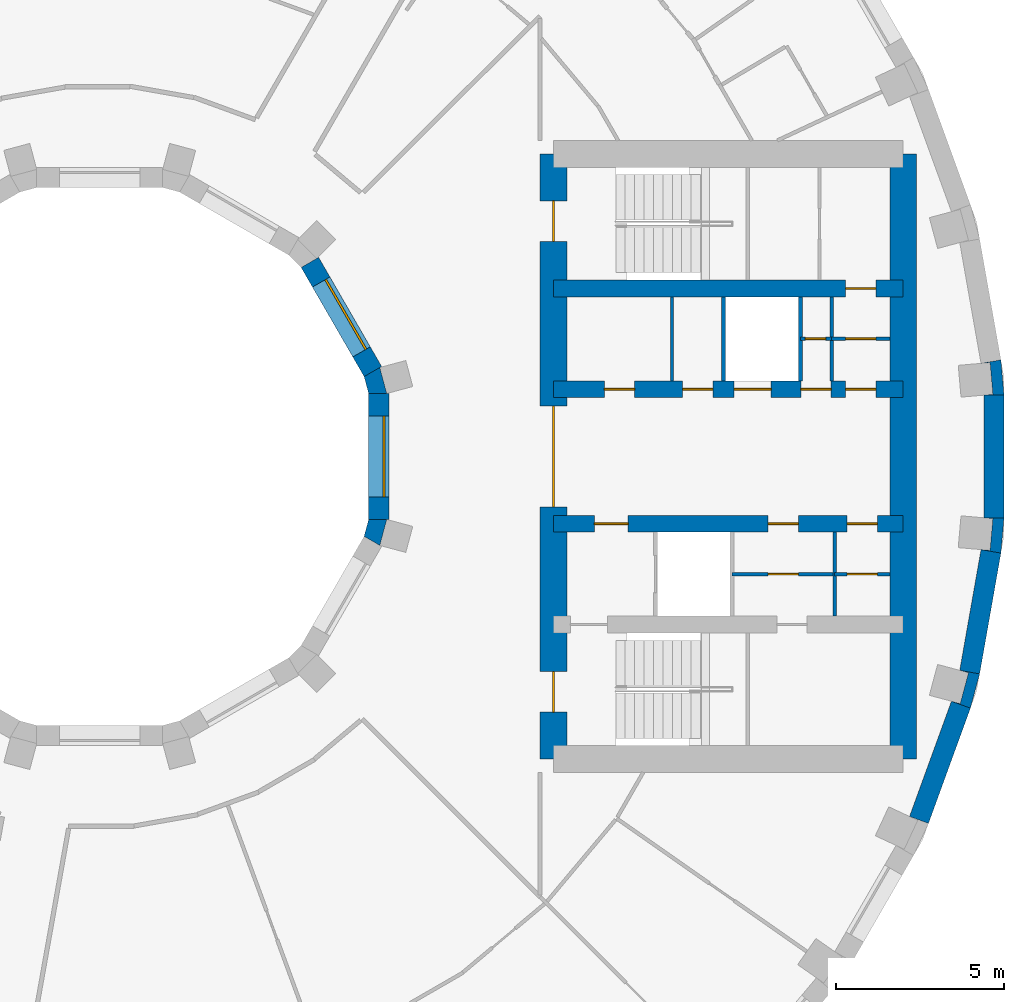
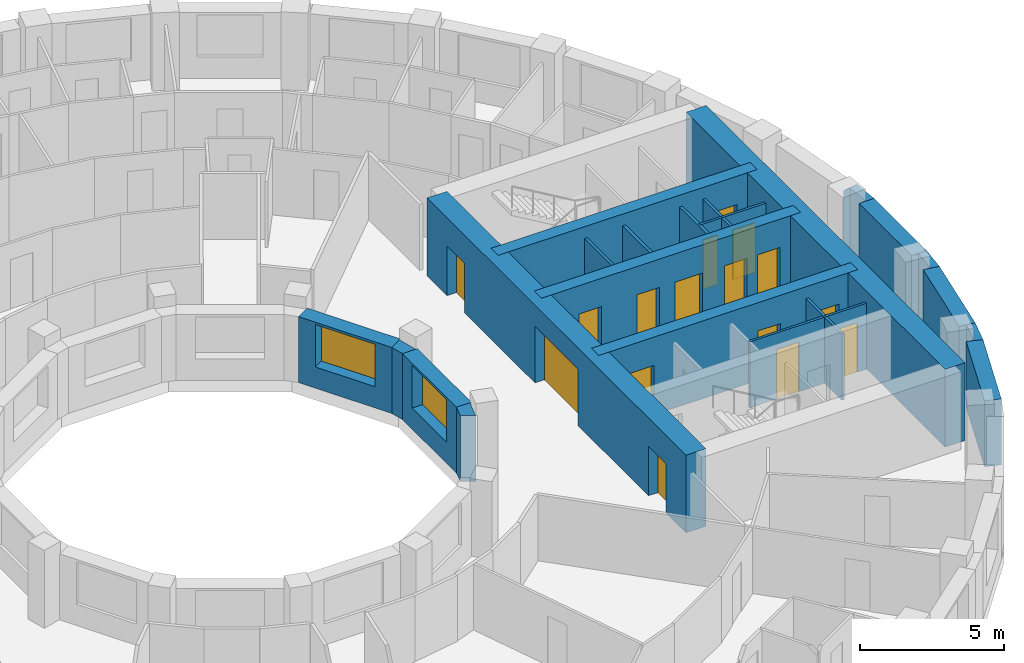
# One storey, part 9 of 14: 24 walls, 16 doors, 2 windows, 18 openings.
"""IFC4 building model written with IfcOpenShell, lengths in metres."""

import ifcopenshell
import ifcopenshell.guid

model = None  # the IFC model being written
_history = None  # IfcOwnerHistory: only IFC2X3 demands one
_inside = {}  # id of a spatial element -> (the spatial element, [elements in it])
_under = {}  # id of a project, library or spatial element -> (it, [spatial elements below it])
_declared = {}  # id of a project -> (the project, [libraries it declares])
_typed = {}  # id of a type object -> (the type object, [elements of that type])
_made_of = {}  # id of a material, layer set ... -> (it, [elements and type objects made of it])


def new_model(schema):
    """Start an empty IFC model of exactly this schema.

    Asked for "IFC4X3", IfcOpenShell would pick the latest addendum, in which some entities
    have other attributes; the version numbers below select the first issue.
    IFC2X3 requires an IfcOwnerHistory on every rooted entity: one is made here for all.
    """
    global model, _history
    if schema == "IFC4X3":
        model = ifcopenshell.file(schema_version=(4, 3, 0, 0))
    else:
        model = ifcopenshell.file(schema=schema)
    _inside.clear()
    _under.clear()
    _declared.clear()
    _typed.clear()
    _made_of.clear()
    _history = None
    if model.schema == "IFC2X3":
        org = make("IfcOrganization", Name="unknown")
        user = make(
            "IfcPersonAndOrganization",
            ThePerson=make("IfcPerson", FamilyName="unknown"),
            TheOrganization=org,
        )
        app = make(
            "IfcApplication",
            ApplicationDeveloper=org,
            Version="unknown",
            ApplicationFullName="unknown",
            ApplicationIdentifier="unknown",
        )
        _history = make(
            "IfcOwnerHistory",
            OwningUser=user,
            OwningApplication=app,
            ChangeAction="ADDED",
            CreationDate=0,
        )
    return model


def make(cls, **values):
    """One entity of the class cls with the attributes given. An attribute that is None is left unset."""
    return model.create_entity(
        cls, **{name: value for name, value in values.items() if value is not None}
    )


def rooted(cls, **values):
    """An entity with a GlobalId (a new one), such as an element, a storey or a relation."""
    return make(cls, GlobalId=ifcopenshell.guid.new(), OwnerHistory=_history, **values)


def si_unit(unit_type, name, prefix=None):
    """IfcSIUnit, for example si_unit("LENGTHUNIT", "METRE", prefix="MILLI")."""
    return make("IfcSIUnit", UnitType=unit_type, Prefix=prefix, Name=name)


def assignment(units):
    """IfcUnitAssignment: the units of a project."""
    return None if units is None else make("IfcUnitAssignment", Units=units)


def point(xyz):
    """IfcCartesianPoint."""
    return None if xyz is None else make("IfcCartesianPoint", Coordinates=xyz)


def direction(xyz):
    """IfcDirection."""
    return None if xyz is None else make("IfcDirection", DirectionRatios=xyz)


def frame(location, z_axis=None, x_axis=None):
    """IfcAxis2Placement3D, a coordinate frame: its origin and axes. An axis left out is left unset."""
    return make(
        "IfcAxis2Placement3D",
        Location=point(location),
        Axis=direction(z_axis),
        RefDirection=direction(x_axis),
    )


def frame_2d(location, x_axis=None):
    """IfcAxis2Placement2D, a coordinate frame in the plane: its origin and x axis."""
    return make(
        "IfcAxis2Placement2D", Location=point(location), RefDirection=direction(x_axis)
    )


def origin():
    """The frame at (0, 0, 0) with its axes left unset."""
    return frame((0.0, 0.0, 0.0))


def place(relative_to, where):
    """IfcLocalPlacement: puts the frame where relative to a parent placement (None: the world)."""
    return make(
        "IfcLocalPlacement", PlacementRelTo=relative_to, RelativePlacement=where
    )


def context(
    kind, dimensions, precision=None, world=None, true_north=None, identifier=None
):
    """IfcGeometricRepresentationContext, for example the 3D "Model" context."""
    return make(
        "IfcGeometricRepresentationContext",
        ContextIdentifier=identifier,
        ContextType=kind,
        CoordinateSpaceDimension=dimensions,
        Precision=precision,
        WorldCoordinateSystem=world,
        TrueNorth=true_north,
    )


def subcontext(parent, identifier, kind, view, scale=None):
    """IfcGeometricRepresentationSubContext, for example "Body" below "Model"."""
    return make(
        "IfcGeometricRepresentationSubContext",
        ContextIdentifier=identifier,
        ContextType=kind,
        ParentContext=parent,
        TargetScale=scale,
        TargetView=view,
    )


def project(units=None, contexts=None):
    """IfcProject with its units and contexts."""
    return rooted(
        "IfcProject",
        Name="project",
        RepresentationContexts=contexts,
        UnitsInContext=assignment(units),
    )


def spatial(cls, under=None, at=None, **own):
    """A site, building, storey or space (cls), placed at a placement, below another one or the project."""
    s = rooted(cls, ObjectPlacement=at, **own)
    if under is not None:
        _under.setdefault(under.id(), (under, []))[1].append(s)
    return s


def polyline(points):
    """IfcPolyline through the points."""
    return make("IfcPolyline", Points=[point(p) for p in points])


def profile(cls, at=None, kind="AREA", **sizes):
    """A parametric profile (cls). Its sizes go by their IFC names, for example OverallWidth=200.0."""
    return make(cls, ProfileType=kind, Position=at, **sizes)


def rectangle(**sizes):
    """IfcRectangleProfileDef."""
    return profile("IfcRectangleProfileDef", **sizes)


def outline(outer, holes=None, kind="AREA"):
    """IfcArbitraryClosedProfileDef: a profile drawn as a closed curve; with holes, ...WithVoids."""
    if holes is None:
        return make("IfcArbitraryClosedProfileDef", ProfileType=kind, OuterCurve=outer)
    return make(
        "IfcArbitraryProfileDefWithVoids",
        ProfileType=kind,
        OuterCurve=outer,
        InnerCurves=holes,
    )


def extrude(swept, where, along, depth):
    """IfcExtrudedAreaSolid: the profile swept, set in the frame where, extruded along a direction by depth."""
    return make(
        "IfcExtrudedAreaSolid",
        SweptArea=swept,
        Position=where,
        ExtrudedDirection=direction(along),
        Depth=depth,
    )


def shape(context_of_items, identifier, shape_type, items):
    """IfcShapeRepresentation: the items that make up one representation, for example the "Body"."""
    return make(
        "IfcShapeRepresentation",
        ContextOfItems=context_of_items,
        RepresentationIdentifier=identifier,
        RepresentationType=shape_type,
        Items=items,
    )


def material(Name=None, Category=None):
    """IfcMaterial."""
    return make("IfcMaterial", Name=Name, Category=Category)


def layer(
    of_material, thickness, ventilated=None, Name=None, Category=None, Priority=None
):
    """IfcMaterialLayer: one layer of a wall or slab, of a material (None: an air gap)."""
    return make(
        "IfcMaterialLayer",
        Material=of_material,
        LayerThickness=thickness,
        IsVentilated=ventilated,
        Name=Name,
        Category=Category,
        Priority=Priority,
    )


def layer_set(layers, Name=None):
    """IfcMaterialLayerSet."""
    return make("IfcMaterialLayerSet", MaterialLayers=layers, LayerSetName=Name)


def made_of(thing, what):
    """Note that an element or type object is made of a material, layer set ...; save() writes the relation."""
    if what is not None:
        _made_of.setdefault(what.id(), (what, []))[1].append(thing)
    return thing


def type_object(cls, material=None, **own):
    """A type object (cls), such as IfcWallType, which elements share."""
    return made_of(rooted(cls, **own), material)


def element(
    cls,
    number,
    at=None,
    inside=None,
    cuts=None,
    type_object=None,
    material=None,
    context=None,
    identifier="Body",
    shape_type=None,
    held_by="IfcProductDefinitionShape",
    body=None,
    shapes=None,
    **own,
):
    """One element of the class cls, such as IfcWall. Its Tag is "e" and its number.

    at: its placement. inside: the storey or other place that contains it. cuts: it is an
    opening in that element (IfcRelVoidsElement). A single representation is given by context,
    identifier, shape_type and body (its items); several are given by shapes. held_by: the class
    of the entity that holds the representations. save() writes the other relations.
    """
    e = rooted(cls, Tag="e%d" % number, ObjectPlacement=at, **own)
    if body is not None:
        shapes = [shape(context, identifier, shape_type, body)]
    if shapes is not None:
        e.Representation = make(held_by, Representations=shapes)
    if inside is not None:
        _inside.setdefault(inside.id(), (inside, []))[1].append(e)
    if cuts is not None:
        rooted(
            "IfcRelVoidsElement", RelatingBuildingElement=cuts, RelatedOpeningElement=e
        )
    if type_object is not None:
        _typed.setdefault(type_object.id(), (type_object, []))[1].append(e)
    return made_of(e, material)


def fill(opening, filler):
    """IfcRelFillsElement: the door or window that sits in an opening."""
    return rooted(
        "IfcRelFillsElement",
        RelatingOpeningElement=opening,
        RelatedBuildingElement=filler,
    )


def aggregate(whole, parts):
    """IfcRelAggregates: a whole, such as a stair, and the parts it consists of."""
    return rooted("IfcRelAggregates", RelatingObject=whole, RelatedObjects=parts)


def save(model, path):
    """Write the relations noted so far, then the file.

    IfcRelAggregates (storeys below a building ...), IfcRelContainedInSpatialStructure (elements
    in a storey), IfcRelDefinesByType, IfcRelAssociatesMaterial and IfcRelDeclares: one each for
    every whole, place, type object, material and project.
    """
    for whole, parts in _under.values():
        aggregate(whole, parts)
    for where, things in _inside.values():
        rooted(
            "IfcRelContainedInSpatialStructure",
            RelatedElements=things,
            RelatingStructure=where,
        )
    for kind, things in _typed.values():
        rooted("IfcRelDefinesByType", RelatedObjects=things, RelatingType=kind)
    for what, things in _made_of.values():
        rooted("IfcRelAssociatesMaterial", RelatedObjects=things, RelatingMaterial=what)
    for by, libraries in _declared.values():
        rooted("IfcRelDeclares", RelatingContext=by, RelatedDefinitions=libraries)
    model.write(path)


model = new_model("IFC4")

# Units and contexts
model_context = context("Model", 3, precision=1e-05, world=origin(), true_north=direction((0.0, 1.0)))
body_context = subcontext(model_context, "Body", "Model", "MODEL_VIEW")
ifc_project = project(units=[si_unit("LENGTHUNIT", "METRE"), si_unit("AREAUNIT", "SQUARE_METRE"), si_unit("VOLUMEUNIT", "CUBIC_METRE"), si_unit("PLANEANGLEUNIT", "RADIAN"), si_unit("MASSUNIT", "GRAM", prefix="KILO")], contexts=[model_context])

# Site, building, storey
site_placement = place(None, origin())
site = spatial("IfcSite", under=ifc_project, at=site_placement, CompositionType="ELEMENT")
building_placement = place(site_placement, origin())
building = spatial("IfcBuilding", under=site, at=building_placement, Name="Saqina Gate Tower", CompositionType="ELEMENT")
storey_placement = place(building_placement, frame((0.0, 0.0, 98.5)))
storey = spatial("IfcBuildingStorey", under=building, at=storey_placement, Name="L27", CompositionType="ELEMENT", Elevation=98.5)

# Walls
ifc_material_1 = material(Name="Brick masonry (buff)", Category="masonry")
wall_type_1 = type_object("IfcWallType", Name="BRICK PIER COPING BUFF", PredefinedType="SOLIDWALL", material=ifc_material_1)
wall_1_placement = place(storey_placement, origin())
element("IfcWall", 1, at=wall_1_placement, inside=storey, type_object=wall_type_1, Name="Pier cap L27 column 1", PredefinedType="SOLIDWALL", context=body_context, shape_type="SweptSolid", body=[
    extrude(outline(polyline([(26.805419921875, 2.87451171875), (26.214599609375, 2.770263671875), (26.482421875, 2.793701171875), (26.565185546875, 1.847412109375), (26.29736328125, 1.823974609375), (26.897216796875, 1.823974609375), (26.805419921875, 2.87451171875)])), origin(), (0.0, 0.0, 1.0), 2.800048828125),
])
wall_2_placement = place(storey_placement, origin())
element("IfcWall", 2, at=wall_2_placement, inside=storey, type_object=wall_type_1, Name="Pier cap L27 column 35", PredefinedType="SOLIDWALL", context=body_context, shape_type="SweptSolid", body=[
    extrude(outline(polyline([(25.89892578125, -7.485595703125), (26.171875, -6.466796875), (25.5810546875, -6.36279296875), (25.8408203125, -6.43212890625), (25.5947265625, -7.349853515625), (25.335205078125, -7.2802734375), (25.89892578125, -7.485595703125)])), origin(), (0.0, 0.0, 1.0), 2.800048828125),
])
wall_3_placement = place(storey_placement, origin())
element("IfcWall", 3, at=wall_3_placement, inside=storey, type_object=wall_type_1, Name="Pier cap L27 column 36", PredefinedType="SOLIDWALL", context=body_context, shape_type="SweptSolid", body=[
    extrude(outline(polyline([(26.805419921875, -2.87451171875), (26.897216796875, -1.823974609375), (26.29736328125, -1.823974609375), (26.565185546875, -1.847412109375), (26.482421875, -2.793701171875), (26.214599609375, -2.770263671875), (26.805419921875, -2.87451171875)])), origin(), (0.0, 0.0, 1.0), 2.800048828125),
])
ifc_material_2 = material(Name="Gypsum board on steel studs", Category="steel")
ifc_layer_1 = layer(ifc_material_2, 0.10009765625)
ifc_layer_set_1 = layer_set([ifc_layer_1], Name="CORE PARTITION")
wall_type_2 = type_object("IfcWallType", Name="CORE PARTITION", PredefinedType="PARTITIONING", material=ifc_layer_set_1)
for number, where, z_axis, x_axis, name in (
    (4, (17.022216796875, 2.25, 0.0), (0.0, 0.0, 1.0), (0.0, 1.0, 0.0), "L27-CP-E01"),
    (5, (21.77099609375, 2.25, 0.0), (0.0, 0.0, 1.0), (0.0, 1.0, 0.0), "L27-CP-E04"),
    (6, (21.8583984375, -4.75, 0.0), (0.0, 0.0, 1.0), (0.0, 1.0, 0.0), "L27-CP-E07"),
):
    element("IfcWall", number, at=place(storey_placement, frame(where, z_axis=z_axis, x_axis=x_axis)), inside=storey, type_object=wall_type_2, Name=name, PredefinedType="PARTITIONING", context=body_context, shape_type="SweptSolid", body=[
        extrude(rectangle(XDim=2.5, YDim=0.10009765625, at=frame_2d((1.25, 0.0))), origin(), (0.0, 0.0, 1.0), 2.800048828125),
    ])

# Wall, opening, door
wall_4_placement = place(storey_placement, frame((20.840087890625, 3.5, 0.0), z_axis=(0.0, 0.0, 1.0), x_axis=(1.0, 0.0, 0.0)))
wall_4 = element("IfcWall", 7, at=wall_4_placement, inside=storey, type_object=wall_type_2, Name="L27-CP-E08", PredefinedType="PARTITIONING", context=body_context, shape_type="SweptSolid", body=[
    extrude(rectangle(XDim=0.930908203125, YDim=0.10009765625, at=frame_2d((0.46533203125, 0.0))), origin(), (0.0, 0.0, 1.0), 2.800048828125),
])
opening_1_placement = place(wall_4_placement, frame((0.14990234375, 0.0, 0.0)))
opening_1 = element("IfcOpeningElement", 8, at=opening_1_placement, cuts=wall_4, Name="Opening G07-D130", PredefinedType="OPENING", context=body_context, shape_type="SweptSolid", body=[
    extrude(rectangle(XDim=0.60009765625, YDim=2.10009765625, at=frame_2d((0.300048828125, 1.050048828125))), frame((0.0, 0.06201171875, 0.0), z_axis=(0.0, -1.0, 0.0), x_axis=(1.0, 0.0, 0.0)), (0.0, 0.0, 1.0), 0.1240234375),
])
ifc_material_3 = material(Name="Steel-framed fire door leaf, EI 60", Category="steel")
door_type_1 = type_object("IfcDoorType", Name="SERVICE ROOM DOOR 600", OperationType="SINGLE_SWING_LEFT", PredefinedType="DOOR", material=ifc_material_3)
door_1_placement = place(opening_1_placement, origin())
door_1 = element("IfcDoor", 9, at=door_1_placement, inside=storey, type_object=door_type_1, Name="L27-CD-E08", OperationType="SINGLE_SWING_LEFT", OverallHeight=2.10009765625, OverallWidth=0.60009765625, PredefinedType="DOOR", context=body_context, shape_type="SweptSolid", body=[
    extrude(rectangle(XDim=0.60009765625, YDim=2.10009765625, at=frame_2d((0.300048828125, 1.050048828125))), frame((0.0, 0.02490234375, 0.0), z_axis=(0.0, -1.0, 0.0), x_axis=(1.0, 0.0, 0.0)), (0.0, 0.0, 1.0), 0.050048828125),
])
fill(opening_1, door_1)

wall_5_placement = place(storey_placement, frame((21.77099609375, 3.5, 0.0), z_axis=(0.0, 0.0, 1.0), x_axis=(1.0, 0.0, 0.0)))
wall_5 = element("IfcWall", 10, at=wall_5_placement, inside=storey, type_object=wall_type_2, Name="L27-CP-E09", PredefinedType="PARTITIONING", context=body_context, shape_type="SweptSolid", body=[
    extrude(rectangle(XDim=1.72900390625, YDim=0.10009765625, at=frame_2d((0.864501953125, 0.0))), origin(), (0.0, 0.0, 1.0), 2.800048828125),
])
opening_2_placement = place(wall_5_placement, frame((0.41455078125, 0.0, 0.0)))
opening_2 = element("IfcOpeningElement", 11, at=opening_2_placement, cuts=wall_5, Name="Opening G07-D131", PredefinedType="OPENING", context=body_context, shape_type="SweptSolid", body=[
    extrude(rectangle(XDim=0.89990234375, YDim=2.10009765625, at=frame_2d((0.449951171875, 1.050048828125))), frame((0.0, 0.06201171875, 0.0), z_axis=(0.0, -1.0, 0.0), x_axis=(1.0, 0.0, 0.0)), (0.0, 0.0, 1.0), 0.1240234375),
])
ifc_material_4 = material(Name="Steel-framed fire door leaf, EI 60", Category="steel")
door_type_2 = type_object("IfcDoorType", Name="SERVICE ROOM DOOR 900", OperationType="SINGLE_SWING_LEFT", PredefinedType="DOOR", material=ifc_material_4)
door_2_placement = place(opening_2_placement, origin())
door_2 = element("IfcDoor", 12, at=door_2_placement, inside=storey, type_object=door_type_2, Name="L27-CD-E09", OperationType="SINGLE_SWING_RIGHT", OverallHeight=2.10009765625, OverallWidth=0.89990234375, PredefinedType="DOOR", context=body_context, shape_type="SweptSolid", body=[
    extrude(rectangle(XDim=0.89990234375, YDim=2.10009765625, at=frame_2d((0.449951171875, 1.050048828125))), frame((0.0, 0.02490234375, 0.0), z_axis=(0.0, -1.0, 0.0), x_axis=(1.0, 0.0, 0.0)), (0.0, 0.0, 1.0), 0.050048828125),
])
fill(opening_2, door_2)

wall_6_placement = place(storey_placement, frame((18.81005859375, -3.5, 0.0), z_axis=(0.0, 0.0, 1.0), x_axis=(1.0, 0.0, 0.0)))
wall_6 = element("IfcWall", 13, at=wall_6_placement, inside=storey, type_object=wall_type_2, Name="L27-CP-E10", PredefinedType="PARTITIONING", context=body_context, shape_type="SweptSolid", body=[
    extrude(rectangle(XDim=3.04833984375, YDim=0.10009765625, at=frame_2d((1.524169921875, 0.0))), origin(), (0.0, 0.0, 1.0), 2.800048828125),
])
opening_3_placement = place(wall_6_placement, frame((1.07421875, 0.0, 0.0)))
opening_3 = element("IfcOpeningElement", 14, at=opening_3_placement, cuts=wall_6, Name="Opening G07-D135", PredefinedType="OPENING", context=body_context, shape_type="SweptSolid", body=[
    extrude(rectangle(XDim=0.89990234375, YDim=2.10009765625, at=frame_2d((0.449951171875, 1.050048828125))), frame((0.0, 0.06201171875, 0.0), z_axis=(0.0, -1.0, 0.0), x_axis=(1.0, 0.0, 0.0)), (0.0, 0.0, 1.0), 0.1240234375),
])
door_3_placement = place(opening_3_placement, frame((0.89990234375, 0.0, 0.0), z_axis=(0.0, 0.0, 1.0), x_axis=(-1.0, 0.0, 0.0)))
door_3 = element("IfcDoor", 15, at=door_3_placement, inside=storey, type_object=door_type_2, Name="L27-CD-E13", OperationType="SINGLE_SWING_RIGHT", OverallHeight=2.10009765625, OverallWidth=0.89990234375, PredefinedType="DOOR", context=body_context, shape_type="SweptSolid", body=[
    extrude(rectangle(XDim=0.89990234375, YDim=2.10009765625, at=frame_2d((0.449951171875, 1.050048828125))), frame((0.0, 0.02490234375, 0.0), z_axis=(0.0, -1.0, 0.0), x_axis=(1.0, 0.0, 0.0)), (0.0, 0.0, 1.0), 0.050048828125),
])
fill(opening_3, door_3)

wall_7_placement = place(storey_placement, frame((21.8583984375, -3.5, 0.0), z_axis=(0.0, 0.0, 1.0), x_axis=(1.0, 0.0, 0.0)))
wall_7 = element("IfcWall", 16, at=wall_7_placement, inside=storey, type_object=wall_type_2, Name="L27-CP-E11", PredefinedType="PARTITIONING", context=body_context, shape_type="SweptSolid", body=[
    extrude(rectangle(XDim=1.6416015625, YDim=0.10009765625, at=frame_2d((0.82080078125, 0.0))), origin(), (0.0, 0.0, 1.0), 2.800048828125),
])
opening_4_placement = place(wall_7_placement, frame((0.370849609375, 0.0, 0.0)))
opening_4 = element("IfcOpeningElement", 17, at=opening_4_placement, cuts=wall_7, Name="Opening G07-D134", PredefinedType="OPENING", context=body_context, shape_type="SweptSolid", body=[
    extrude(rectangle(XDim=0.89990234375, YDim=2.10009765625, at=frame_2d((0.449951171875, 1.050048828125))), frame((0.0, 0.06201171875, 0.0), z_axis=(0.0, -1.0, 0.0), x_axis=(1.0, 0.0, 0.0)), (0.0, 0.0, 1.0), 0.1240234375),
])
door_4_placement = place(opening_4_placement, frame((0.89990234375, 0.0, 0.0), z_axis=(0.0, 0.0, 1.0), x_axis=(-1.0, 0.0, 0.0)))
door_4 = element("IfcDoor", 18, at=door_4_placement, inside=storey, type_object=door_type_2, Name="L27-CD-E12", OperationType="SINGLE_SWING_LEFT", OverallHeight=2.10009765625, OverallWidth=0.89990234375, PredefinedType="DOOR", context=body_context, shape_type="SweptSolid", body=[
    extrude(rectangle(XDim=0.89990234375, YDim=2.10009765625, at=frame_2d((0.449951171875, 1.050048828125))), frame((0.0, 0.02490234375, 0.0), z_axis=(0.0, -1.0, 0.0), x_axis=(1.0, 0.0, 0.0)), (0.0, 0.0, 1.0), 0.050048828125),
])
fill(opening_4, door_4)

# Walls
ifc_material_5 = material(Name="Glazed ceramic tile", Category="ceramic")
ifc_layer_2 = layer(ifc_material_5, 0.60009765625)
ifc_layer_set_2 = layer_set([ifc_layer_2], Name="FW-TILE")
wall_type_3 = type_object("IfcWallType", Name="FW-TILE", PredefinedType="SOLIDWALL", material=ifc_layer_set_2)
for number, where, z_axis, x_axis, name in (
    (19, (24.369384765625, -10.810791015625, 0.0), (0.0, 0.0, 1.0), (0.341990236633, 0.939703505393, 0.0), "Facade wall L27 facet 34"),
    (20, (26.59716796875, -1.823974609375, 0.0), (0.0, 0.0, 1.0), (0.0, 1.0, 0.0), "Facade wall L27 facet 36"),
):
    element("IfcWall", number, at=place(storey_placement, frame(where, z_axis=z_axis, x_axis=x_axis)), inside=storey, type_object=wall_type_3, Name=name, PredefinedType="SOLIDWALL", context=body_context, shape_type="SweptSolid", body=[
        extrude(rectangle(XDim=3.64794921875, YDim=0.60009765625, at=frame_2d((1.823974609375, 0.0))), origin(), (0.0, 0.0, 1.0), 2.800048828125),
    ])
ifc_material_6 = material(Name="Glazed ceramic tile (dark blue)", Category="ceramic")
ifc_layer_3 = layer(ifc_material_6, 0.60009765625)
ifc_layer_set_3 = layer_set([ifc_layer_3], Name="FW-TILE-CB")
wall_type_4 = type_object("IfcWallType", Name="FW-TILE-CB", PredefinedType="SOLIDWALL", material=ifc_layer_set_3)
wall_8_placement = place(storey_placement, frame((25.87646484375, -6.414794921875, 0.0), z_axis=(0.0, 0.0, 1.0), x_axis=(0.173670796382, 0.984803764455, 0.0)))
element("IfcWall", 21, at=wall_8_placement, inside=storey, type_object=wall_type_4, Name="Facade wall L27 facet 35", PredefinedType="SOLIDWALL", context=body_context, shape_type="SweptSolid", body=[
    extrude(rectangle(XDim=3.64794921875, YDim=0.60009765625, at=frame_2d((1.823974609375, 0.0))), origin(), (0.0, 0.0, 1.0), 2.800048828125),
])

# Wall, opening, window
ifc_material_7 = material(Name="Glazed ceramic tile", Category="ceramic")
ifc_layer_4 = layer(ifc_material_7, 0.60009765625)
ifc_layer_set_4 = layer_set([ifc_layer_4], Name="IW-TILE")
wall_type_5 = type_object("IfcWallType", Name="IW-TILE", PredefinedType="SOLIDWALL", material=ifc_layer_set_4)
wall_9_placement = place(storey_placement, frame((8.124755859375, 2.52734375, 0.0), z_axis=(0.0, 0.0, 1.0), x_axis=(-0.499964958637, 0.86604563398, 0.0)))
wall_9 = element("IfcWall", 22, at=wall_9_placement, inside=storey, type_object=wall_type_5, Name="Well wall L27 facet 1", PredefinedType="SOLIDWALL", context=body_context, shape_type="SweptSolid", body=[
    extrude(rectangle(XDim=3.747314453125, YDim=0.60009765625, at=frame_2d((1.87353515625, 0.0))), origin(), (0.0, 0.0, 1.0), 2.800048828125),
])
opening_5_placement = place(wall_9_placement, frame((0.673583984375, 0.0, 0.89990234375)))
opening_5 = element("IfcOpeningElement", 23, at=opening_5_placement, cuts=wall_9, Name="Opening G07-W23", PredefinedType="OPENING", context=body_context, shape_type="SweptSolid", body=[
    extrude(rectangle(XDim=2.39990234375, YDim=1.800048828125, at=frame_2d((1.199951171875, 0.89990234375))), frame((0.0, 0.31201171875, 0.0), z_axis=(0.0, -1.0, 0.0), x_axis=(1.0, 0.0, 0.0)), (0.0, 0.0, 1.0), 0.6240234375),
])
ifc_material_8 = material(Name="Aluminium glazing", Category="aluminium")
window_type = type_object("IfcWindowType", Name="WN-W", PartitioningType="SINGLE_PANEL", PredefinedType="WINDOW", material=ifc_material_8)
window_1_placement = place(opening_5_placement, origin())
window_1 = element("IfcWindow", 24, at=window_1_placement, inside=storey, type_object=window_type, Name="Well window L27 facet 1", OverallHeight=1.800048828125, OverallWidth=2.39990234375, PartitioningType="SINGLE_PANEL", PredefinedType="WINDOW", context=body_context, shape_type="SweptSolid", body=[
    extrude(rectangle(XDim=2.39990234375, YDim=1.800048828125, at=frame_2d((1.199951171875, 0.89990234375))), frame((0.0, -0.119873046875, 0.0), z_axis=(0.0, -1.0, 0.0), x_axis=(1.0, 0.0, 0.0)), (0.0, 0.0, 1.0), 0.06005859375),
])
fill(opening_5, window_1)

wall_10_placement = place(storey_placement, frame((8.300048828125, -1.873779296875, 0.0), z_axis=(0.0, 0.0, 1.0), x_axis=(0.0, 1.0, 0.0)))
wall_10 = element("IfcWall", 25, at=wall_10_placement, inside=storey, type_object=wall_type_5, Name="Well wall L27 facet 12", PredefinedType="SOLIDWALL", context=body_context, shape_type="SweptSolid", body=[
    extrude(rectangle(XDim=3.74755859375, YDim=0.60009765625, at=frame_2d((1.873779296875, 0.0))), origin(), (0.0, 0.0, 1.0), 2.800048828125),
])
opening_6_placement = place(wall_10_placement, frame((0.673583984375, 0.0, 0.89990234375)))
opening_6 = element("IfcOpeningElement", 26, at=opening_6_placement, cuts=wall_10, Name="Opening G07-W34", PredefinedType="OPENING", context=body_context, shape_type="SweptSolid", body=[
    extrude(rectangle(XDim=2.39990234375, YDim=1.800048828125, at=frame_2d((1.199951171875, 0.89990234375))), frame((0.0, 0.31201171875, 0.0), z_axis=(0.0, -1.0, 0.0), x_axis=(1.0, 0.0, 0.0)), (0.0, 0.0, 1.0), 0.6240234375),
])
window_2_placement = place(opening_6_placement, origin())
window_2 = element("IfcWindow", 27, at=window_2_placement, inside=storey, type_object=window_type, Name="Well window L27 facet 12", OverallHeight=1.800048828125, OverallWidth=2.39990234375, PartitioningType="SINGLE_PANEL", PredefinedType="WINDOW", context=body_context, shape_type="SweptSolid", body=[
    extrude(rectangle(XDim=2.39990234375, YDim=1.800048828125, at=frame_2d((1.199951171875, 0.89990234375))), frame((0.0, -0.119873046875, 0.0), z_axis=(0.0, -1.0, 0.0), x_axis=(1.0, 0.0, 0.0)), (0.0, 0.0, 1.0), 0.06005859375),
])
fill(opening_6, window_2)

# Walls
ifc_material_9 = material(Name="Autoclaved aerated concrete block", Category="concrete")
ifc_layer_5 = layer(ifc_material_9, 0.1201171875)
ifc_layer_set_5 = layer_set([ifc_layer_5], Name="SHAFT PARTITION")
wall_type_6 = type_object("IfcWallType", Name="SHAFT PARTITION", PredefinedType="PARTITIONING", material=ifc_layer_set_5)
for number, where, z_axis, x_axis, name in (
    (28, (18.56005859375, 2.25, 0.0), (0.0, 0.0, 1.0), (0.0, 1.0, 0.0), "L27-CP-E02"),
    (29, (20.840087890625, 2.25, 0.0), (0.0, 0.0, 1.0), (0.0, 1.0, 0.0), "L27-CP-E03"),
):
    element("IfcWall", number, at=place(storey_placement, frame(where, z_axis=z_axis, x_axis=x_axis)), inside=storey, type_object=wall_type_6, Name=name, PredefinedType="PARTITIONING", context=body_context, shape_type="SweptSolid", body=[
        extrude(rectangle(XDim=2.5, YDim=0.1201171875, at=frame_2d((1.25, 0.0))), origin(), (0.0, 0.0, 1.0), 2.800048828125),
    ])

# Wall, opening, door
ifc_material_10 = material(Name="Concrete C70/85", Category="concrete")
ifc_layer_6 = layer(ifc_material_10, 0.5)
ifc_layer_set_6 = layer_set([ifc_layer_6], Name="Concrete C70/85")
wall_type_7 = type_object("IfcWallType", Name="STR-CORE WALL-B-I", PredefinedType="SHEAR", material=ifc_layer_set_6)
wall_11_placement = place(storey_placement, frame((13.5, 5.0, 0.0), z_axis=(0.0, 0.0, 1.0), x_axis=(1.0, 0.0, 0.0)))
wall_11 = element("IfcWall", 30, at=wall_11_placement, inside=storey, type_object=wall_type_7, Name="CORE WALL L27 E-X1", PredefinedType="SHEAR", context=body_context, shape_type="SweptSolid", body=[
    extrude(rectangle(XDim=10.39990234375, YDim=0.5, at=frame_2d((5.199951171875, 0.0))), origin(), (0.0, 0.0, 1.0), 3.300048828125),
])
opening_7_placement = place(wall_11_placement, frame((8.685546875, 0.0, 0.0)))
opening_7 = element("IfcOpeningElement", 31, at=opening_7_placement, cuts=wall_11, Name="Opening G07-D133", PredefinedType="OPENING", context=body_context, shape_type="SweptSolid", body=[
    extrude(rectangle(XDim=0.89990234375, YDim=2.10009765625, at=frame_2d((0.449951171875, 1.050048828125))), frame((0.0, 0.261962890625, 0.0), z_axis=(0.0, -1.0, 0.0), x_axis=(1.0, 0.0, 0.0)), (0.0, 0.0, 1.0), 0.52392578125),
])
door_5_placement = place(opening_7_placement, origin())
door_5 = element("IfcDoor", 32, at=door_5_placement, inside=storey, type_object=door_type_2, Name="L27-CD-E11", OperationType="SINGLE_SWING_RIGHT", OverallHeight=2.10009765625, OverallWidth=0.89990234375, PredefinedType="DOOR", context=body_context, shape_type="SweptSolid", body=[
    extrude(rectangle(XDim=0.89990234375, YDim=2.10009765625, at=frame_2d((0.449951171875, 1.050048828125))), frame((0.0, 0.02490234375, 0.0), z_axis=(0.0, -1.0, 0.0), x_axis=(1.0, 0.0, 0.0)), (0.0, 0.0, 1.0), 0.050048828125),
])
fill(opening_7, door_5)

# Wall, openings, doors
wall_12_placement = place(storey_placement, frame((13.5, 2.0, 0.0), z_axis=(0.0, 0.0, 1.0), x_axis=(1.0, 0.0, 0.0)))
wall_12 = element("IfcWall", 33, at=wall_12_placement, inside=storey, type_object=wall_type_7, Name="CORE WALL L27 E-L1", PredefinedType="SHEAR", context=body_context, shape_type="SweptSolid", body=[
    extrude(rectangle(XDim=10.39990234375, YDim=0.5, at=frame_2d((5.199951171875, 0.0))), origin(), (0.0, 0.0, 1.0), 3.300048828125),
])
opening_8_placement = place(wall_12_placement, frame((5.3701171875, 0.0, 0.0)))
opening_8 = element("IfcOpeningElement", 34, at=opening_8_placement, cuts=wall_12, Name="Opening G07-LD1", PredefinedType="OPENING", context=body_context, shape_type="SweptSolid", body=[
    extrude(rectangle(XDim=1.10009765625, YDim=2.10009765625, at=frame_2d((0.550048828125, 1.050048828125))), frame((0.0, 0.261962890625, 0.0), z_axis=(0.0, -1.0, 0.0), x_axis=(1.0, 0.0, 0.0)), (0.0, 0.0, 1.0), 0.52392578125),
])
opening_9_placement = place(wall_12_placement, frame((1.510986328125, 0.0, 0.0)))
opening_9 = element("IfcOpeningElement", 35, at=opening_9_placement, cuts=wall_12, Name="Opening G07-D90", PredefinedType="OPENING", context=body_context, shape_type="SweptSolid", body=[
    extrude(rectangle(XDim=0.89990234375, YDim=2.10009765625, at=frame_2d((0.449951171875, 1.050048828125))), frame((0.0, 0.261962890625, 0.0), z_axis=(0.0, -1.0, 0.0), x_axis=(1.0, 0.0, 0.0)), (0.0, 0.0, 1.0), 0.52392578125),
])
opening_10_placement = place(wall_12_placement, frame((3.841064453125, 0.0, 0.0)))
opening_10 = element("IfcOpeningElement", 36, at=opening_10_placement, cuts=wall_12, Name="Opening G07-D91", PredefinedType="OPENING", context=body_context, shape_type="SweptSolid", body=[
    extrude(rectangle(XDim=0.89990234375, YDim=2.10009765625, at=frame_2d((0.449951171875, 1.050048828125))), frame((0.0, 0.261962890625, 0.0), z_axis=(0.0, -1.0, 0.0), x_axis=(1.0, 0.0, 0.0)), (0.0, 0.0, 1.0), 0.52392578125),
])
opening_11_placement = place(wall_12_placement, frame((7.35546875, 0.0, 0.0)))
opening_11 = element("IfcOpeningElement", 37, at=opening_11_placement, cuts=wall_12, Name="Opening G07-D126", PredefinedType="OPENING", context=body_context, shape_type="SweptSolid", body=[
    extrude(rectangle(XDim=0.89990234375, YDim=2.10009765625, at=frame_2d((0.449951171875, 1.050048828125))), frame((0.0, 0.261962890625, 0.0), z_axis=(0.0, -1.0, 0.0), x_axis=(1.0, 0.0, 0.0)), (0.0, 0.0, 1.0), 0.52392578125),
])
opening_12_placement = place(wall_12_placement, frame((8.685546875, 0.0, 0.0)))
opening_12 = element("IfcOpeningElement", 38, at=opening_12_placement, cuts=wall_12, Name="Opening G07-D127", PredefinedType="OPENING", context=body_context, shape_type="SweptSolid", body=[
    extrude(rectangle(XDim=0.89990234375, YDim=2.10009765625, at=frame_2d((0.449951171875, 1.050048828125))), frame((0.0, 0.261962890625, 0.0), z_axis=(0.0, -1.0, 0.0), x_axis=(1.0, 0.0, 0.0)), (0.0, 0.0, 1.0), 0.52392578125),
])
ifc_material_11 = material(Name="Stainless steel", Category="steel")
door_type_3 = type_object("IfcDoorType", Name="LANDING DOOR", OperationType="DOUBLE_DOOR_SLIDING", PredefinedType="DOOR", material=ifc_material_11)
door_6_placement = place(opening_8_placement, origin())
door_6 = element("IfcDoor", 39, at=door_6_placement, inside=storey, type_object=door_type_3, Name="LANDING DOOR MR1", OperationType="DOUBLE_DOOR_SLIDING", OverallHeight=2.10009765625, OverallWidth=1.10009765625, PredefinedType="DOOR", context=body_context, shape_type="SweptSolid", body=[
    extrude(rectangle(XDim=1.10009765625, YDim=2.10009765625, at=frame_2d((0.550048828125, 1.050048828125))), frame((0.0, 0.02490234375, 0.0), z_axis=(0.0, -1.0, 0.0), x_axis=(1.0, 0.0, 0.0)), (0.0, 0.0, 1.0), 0.050048828125),
])
fill(opening_8, door_6)
door_7_placement = place(opening_9_placement, origin())
door_7 = element("IfcDoor", 40, at=door_7_placement, inside=storey, type_object=door_type_2, Name="L27-CD-E01", OperationType="SINGLE_SWING_LEFT", OverallHeight=2.10009765625, OverallWidth=0.89990234375, PredefinedType="DOOR", context=body_context, shape_type="SweptSolid", body=[
    extrude(rectangle(XDim=0.89990234375, YDim=2.10009765625, at=frame_2d((0.449951171875, 1.050048828125))), frame((0.0, 0.02490234375, 0.0), z_axis=(0.0, -1.0, 0.0), x_axis=(1.0, 0.0, 0.0)), (0.0, 0.0, 1.0), 0.050048828125),
])
fill(opening_9, door_7)
door_8_placement = place(opening_10_placement, origin())
door_8 = element("IfcDoor", 41, at=door_8_placement, inside=storey, type_object=door_type_2, Name="L27-CD-E02", OperationType="SINGLE_SWING_RIGHT", OverallHeight=2.10009765625, OverallWidth=0.89990234375, PredefinedType="DOOR", context=body_context, shape_type="SweptSolid", body=[
    extrude(rectangle(XDim=0.89990234375, YDim=2.10009765625, at=frame_2d((0.449951171875, 1.050048828125))), frame((0.0, 0.02490234375, 0.0), z_axis=(0.0, -1.0, 0.0), x_axis=(1.0, 0.0, 0.0)), (0.0, 0.0, 1.0), 0.050048828125),
])
fill(opening_10, door_8)
door_9_placement = place(opening_11_placement, origin())
door_9 = element("IfcDoor", 42, at=door_9_placement, inside=storey, type_object=door_type_2, Name="L27-CD-E03", OperationType="SINGLE_SWING_LEFT", OverallHeight=2.10009765625, OverallWidth=0.89990234375, PredefinedType="DOOR", context=body_context, shape_type="SweptSolid", body=[
    extrude(rectangle(XDim=0.89990234375, YDim=2.10009765625, at=frame_2d((0.449951171875, 1.050048828125))), frame((0.0, 0.02490234375, 0.0), z_axis=(0.0, -1.0, 0.0), x_axis=(1.0, 0.0, 0.0)), (0.0, 0.0, 1.0), 0.050048828125),
])
fill(opening_11, door_9)
door_10_placement = place(opening_12_placement, origin())
door_10 = element("IfcDoor", 43, at=door_10_placement, inside=storey, type_object=door_type_2, Name="L27-CD-E04", OperationType="SINGLE_SWING_RIGHT", OverallHeight=2.10009765625, OverallWidth=0.89990234375, PredefinedType="DOOR", context=body_context, shape_type="SweptSolid", body=[
    extrude(rectangle(XDim=0.89990234375, YDim=2.10009765625, at=frame_2d((0.449951171875, 1.050048828125))), frame((0.0, 0.02490234375, 0.0), z_axis=(0.0, -1.0, 0.0), x_axis=(1.0, 0.0, 0.0)), (0.0, 0.0, 1.0), 0.050048828125),
])
fill(opening_12, door_10)

wall_13_placement = place(storey_placement, frame((13.5, -2.0, 0.0), z_axis=(0.0, 0.0, 1.0), x_axis=(1.0, 0.0, 0.0)))
wall_13 = element("IfcWall", 44, at=wall_13_placement, inside=storey, type_object=wall_type_7, Name="CORE WALL L27 E-L2", PredefinedType="SHEAR", context=body_context, shape_type="SweptSolid", body=[
    extrude(rectangle(XDim=10.39990234375, YDim=0.5, at=frame_2d((5.199951171875, 0.0))), origin(), (0.0, 0.0, 1.0), 3.300048828125),
])
opening_13_placement = place(wall_13_placement, frame((1.215087890625, 0.0, 0.0)))
opening_13 = element("IfcOpeningElement", 45, at=opening_13_placement, cuts=wall_13, Name="Opening G07-D94", PredefinedType="OPENING", context=body_context, shape_type="SweptSolid", body=[
    extrude(rectangle(XDim=1.0, YDim=2.10009765625, at=frame_2d((0.5, 1.050048828125))), frame((0.0, 0.261962890625, 0.0), z_axis=(0.0, -1.0, 0.0), x_axis=(1.0, 0.0, 0.0)), (0.0, 0.0, 1.0), 0.52392578125),
])
opening_14_placement = place(wall_13_placement, frame((6.38427734375, 0.0, 0.0)))
opening_14 = element("IfcOpeningElement", 46, at=opening_14_placement, cuts=wall_13, Name="Opening G07-D128", PredefinedType="OPENING", context=body_context, shape_type="SweptSolid", body=[
    extrude(rectangle(XDim=0.89990234375, YDim=2.10009765625, at=frame_2d((0.449951171875, 1.050048828125))), frame((0.0, 0.261962890625, 0.0), z_axis=(0.0, -1.0, 0.0), x_axis=(1.0, 0.0, 0.0)), (0.0, 0.0, 1.0), 0.52392578125),
])
opening_15_placement = place(wall_13_placement, frame((8.729248046875, 0.0, 0.0)))
opening_15 = element("IfcOpeningElement", 47, at=opening_15_placement, cuts=wall_13, Name="Opening G07-D129", PredefinedType="OPENING", context=body_context, shape_type="SweptSolid", body=[
    extrude(rectangle(XDim=0.89990234375, YDim=2.10009765625, at=frame_2d((0.449951171875, 1.050048828125))), frame((0.0, 0.261962890625, 0.0), z_axis=(0.0, -1.0, 0.0), x_axis=(1.0, 0.0, 0.0)), (0.0, 0.0, 1.0), 0.52392578125),
])
ifc_material_12 = material(Name="Steel", Category="steel")
door_type_4 = type_object("IfcDoorType", Name="FIRE LOBBY DOOR EI 60", OperationType="SINGLE_SWING_LEFT", PredefinedType="DOOR", material=ifc_material_12)
door_11_placement = place(opening_13_placement, origin())
door_11 = element("IfcDoor", 48, at=door_11_placement, inside=storey, type_object=door_type_4, Name="L27-CD-E05", OperationType="SINGLE_SWING_LEFT", OverallHeight=2.10009765625, OverallWidth=1.0, PredefinedType="DOOR", context=body_context, shape_type="SweptSolid", body=[
    extrude(rectangle(XDim=1.0, YDim=2.10009765625, at=frame_2d((0.5, 1.050048828125))), frame((0.0, 0.02490234375, 0.0), z_axis=(0.0, -1.0, 0.0), x_axis=(1.0, 0.0, 0.0)), (0.0, 0.0, 1.0), 0.050048828125),
])
fill(opening_13, door_11)
door_12_placement = place(opening_14_placement, frame((0.89990234375, 0.0, 0.0), z_axis=(0.0, 0.0, 1.0), x_axis=(-1.0, 0.0, 0.0)))
door_12 = element("IfcDoor", 49, at=door_12_placement, inside=storey, type_object=door_type_2, Name="L27-CD-E06", OperationType="SINGLE_SWING_LEFT", OverallHeight=2.10009765625, OverallWidth=0.89990234375, PredefinedType="DOOR", context=body_context, shape_type="SweptSolid", body=[
    extrude(rectangle(XDim=0.89990234375, YDim=2.10009765625, at=frame_2d((0.449951171875, 1.050048828125))), frame((0.0, 0.02490234375, 0.0), z_axis=(0.0, -1.0, 0.0), x_axis=(1.0, 0.0, 0.0)), (0.0, 0.0, 1.0), 0.050048828125),
])
fill(opening_14, door_12)
door_13_placement = place(opening_15_placement, frame((0.89990234375, 0.0, 0.0), z_axis=(0.0, 0.0, 1.0), x_axis=(-1.0, 0.0, 0.0)))
door_13 = element("IfcDoor", 50, at=door_13_placement, inside=storey, type_object=door_type_2, Name="L27-CD-E07", OperationType="SINGLE_SWING_LEFT", OverallHeight=2.10009765625, OverallWidth=0.89990234375, PredefinedType="DOOR", context=body_context, shape_type="SweptSolid", body=[
    extrude(rectangle(XDim=0.89990234375, YDim=2.10009765625, at=frame_2d((0.449951171875, 1.050048828125))), frame((0.0, 0.02490234375, 0.0), z_axis=(0.0, -1.0, 0.0), x_axis=(1.0, 0.0, 0.0)), (0.0, 0.0, 1.0), 0.050048828125),
])
fill(opening_15, door_13)

ifc_material_13 = material(Name="Concrete C70/85", Category="concrete")
ifc_layer_7 = layer(ifc_material_13, 0.800048828125)
ifc_layer_set_7 = layer_set([ifc_layer_7], Name="Concrete C70/85")
wall_type_8 = type_object("IfcWallType", Name="STR-CORE WALL-B-O", PredefinedType="SHEAR", material=ifc_layer_set_7)
wall_14_placement = place(storey_placement, frame((13.5, -9.0, 0.0), z_axis=(0.0, 0.0, 1.0), x_axis=(0.0, 1.0, 0.0)))
wall_14 = element("IfcWall", 51, at=wall_14_placement, inside=storey, type_object=wall_type_8, Name="CORE WALL L27 E-W1", PredefinedType="SHEAR", context=body_context, shape_type="SweptSolid", body=[
    extrude(rectangle(XDim=18.0, YDim=0.800048828125, at=frame_2d((9.0, 0.0))), origin(), (0.0, 0.0, 1.0), 3.300048828125),
])
opening_16_placement = place(wall_14_placement, frame((15.39990234375, 0.0, 0.0)))
opening_16 = element("IfcOpeningElement", 52, at=opening_16_placement, cuts=wall_14, Name="Opening G07-D102", PredefinedType="OPENING", context=body_context, shape_type="SweptSolid", body=[
    extrude(rectangle(XDim=1.199951171875, YDim=2.10009765625, at=frame_2d((0.60009765625, 1.050048828125))), frame((0.0, 0.412109375, 0.0), z_axis=(0.0, -1.0, 0.0), x_axis=(1.0, 0.0, 0.0)), (0.0, 0.0, 1.0), 0.823974609375),
])
opening_17_placement = place(wall_14_placement, frame((1.39990234375, 0.0, 0.0)))
opening_17 = element("IfcOpeningElement", 53, at=opening_17_placement, cuts=wall_14, Name="Opening G07-D103", PredefinedType="OPENING", context=body_context, shape_type="SweptSolid", body=[
    extrude(rectangle(XDim=1.199951171875, YDim=2.10009765625, at=frame_2d((0.60009765625, 1.050048828125))), frame((0.0, 0.412109375, 0.0), z_axis=(0.0, -1.0, 0.0), x_axis=(1.0, 0.0, 0.0)), (0.0, 0.0, 1.0), 0.823974609375),
])
opening_18_placement = place(wall_14_placement, frame((7.5, 0.0, 0.0)))
opening_18 = element("IfcOpeningElement", 54, at=opening_18_placement, cuts=wall_14, Name="Opening G07-D104", PredefinedType="OPENING", context=body_context, shape_type="SweptSolid", body=[
    extrude(rectangle(XDim=3.0, YDim=2.39990234375, at=frame_2d((1.5, 1.199951171875))), frame((0.0, 0.412109375, 0.0), z_axis=(0.0, -1.0, 0.0), x_axis=(1.0, 0.0, 0.0)), (0.0, 0.0, 1.0), 0.823974609375),
])
ifc_material_14 = material(Name="Steel", Category="steel")
door_type_5 = type_object("IfcDoorType", Name="FIRE DOOR EI 60", OperationType="SINGLE_SWING_LEFT", PredefinedType="DOOR", material=ifc_material_14)
door_14_placement = place(opening_16_placement, frame((1.199951171875, 0.0, 0.0), z_axis=(0.0, 0.0, 1.0), x_axis=(-1.0, 0.0, 0.0)))
door_14 = element("IfcDoor", 55, at=door_14_placement, inside=storey, type_object=door_type_5, Name="L27-CD-E16", OperationType="SINGLE_SWING_LEFT", OverallHeight=2.10009765625, OverallWidth=1.199951171875, PredefinedType="DOOR", context=body_context, shape_type="SweptSolid", body=[
    extrude(rectangle(XDim=1.199951171875, YDim=2.10009765625, at=frame_2d((0.60009765625, 1.050048828125))), frame((0.0, 0.02490234375, 0.0), z_axis=(0.0, -1.0, 0.0), x_axis=(1.0, 0.0, 0.0)), (0.0, 0.0, 1.0), 0.050048828125),
])
fill(opening_16, door_14)
door_15_placement = place(opening_17_placement, frame((1.199951171875, 0.0, 0.0), z_axis=(0.0, 0.0, 1.0), x_axis=(-1.0, 0.0, 0.0)))
door_15 = element("IfcDoor", 56, at=door_15_placement, inside=storey, type_object=door_type_5, Name="L27-CD-E17", OperationType="SINGLE_SWING_RIGHT", OverallHeight=2.10009765625, OverallWidth=1.199951171875, PredefinedType="DOOR", context=body_context, shape_type="SweptSolid", body=[
    extrude(rectangle(XDim=1.199951171875, YDim=2.10009765625, at=frame_2d((0.60009765625, 1.050048828125))), frame((0.0, 0.02490234375, 0.0), z_axis=(0.0, -1.0, 0.0), x_axis=(1.0, 0.0, 0.0)), (0.0, 0.0, 1.0), 0.050048828125),
])
fill(opening_17, door_15)
ifc_material_15 = material(Name="Steel and fire-resisting glass", Category="steel")
door_type_6 = type_object("IfcDoorType", Name="LOBBY SCREEN DOOR", OperationType="DOUBLE_DOOR_SLIDING", PredefinedType="DOOR", material=ifc_material_15)
door_16_placement = place(opening_18_placement, origin())
door_16 = element("IfcDoor", 57, at=door_16_placement, inside=storey, type_object=door_type_6, Name="L27-CD-E18", OperationType="DOUBLE_DOOR_SLIDING", OverallHeight=2.39990234375, OverallWidth=3.0, PredefinedType="DOOR", context=body_context, shape_type="SweptSolid", body=[
    extrude(rectangle(XDim=3.0, YDim=2.39990234375, at=frame_2d((1.5, 1.199951171875))), frame((0.0, 0.02490234375, 0.0), z_axis=(0.0, -1.0, 0.0), x_axis=(1.0, 0.0, 0.0)), (0.0, 0.0, 1.0), 0.050048828125),
])
fill(opening_18, door_16)

# Walls
wall_15_placement = place(storey_placement, frame((23.89990234375, -9.0, 0.0), z_axis=(0.0, 0.0, 1.0), x_axis=(0.0, 1.0, 0.0)))
element("IfcWall", 58, at=wall_15_placement, inside=storey, type_object=wall_type_8, Name="CORE WALL L27 E-W2", PredefinedType="SHEAR", context=body_context, shape_type="SweptSolid", body=[
    extrude(rectangle(XDim=18.0, YDim=0.800048828125, at=frame_2d((9.0, 0.0))), origin(), (0.0, 0.0, 1.0), 3.300048828125),
])
ifc_material_16 = material(Name="Glazed ceramic tile", Category="ceramic")
wall_type_9 = type_object("IfcWallType", Name="TILE PIER COPING", PredefinedType="SOLIDWALL", material=ifc_material_16)
wall_16_placement = place(storey_placement, origin())
element("IfcWall", 59, at=wall_16_placement, inside=storey, type_object=wall_type_9, Name="Well pier cap L27 column 1", PredefinedType="SOLIDWALL", context=body_context, shape_type="SweptSolid", body=[
    extrude(outline(polyline([(8.3310546875, 2.646484375), (7.864990234375, 2.377197265625), (8.0, 1.873779296875), (8.5380859375, 1.873779296875), (8.3310546875, 2.646484375)])), origin(), (0.0, 0.0, 1.0), 2.800048828125),
])
wall_17_placement = place(storey_placement, origin())
element("IfcWall", 60, at=wall_17_placement, inside=storey, type_object=wall_type_9, Name="Well pier cap L27 column 12", PredefinedType="SOLIDWALL", context=body_context, shape_type="SweptSolid", body=[
    extrude(outline(polyline([(8.5380859375, -1.873779296875), (8.0, -1.873779296875), (7.864990234375, -2.377197265625), (8.3310546875, -2.646484375), (8.5380859375, -1.873779296875)])), origin(), (0.0, 0.0, 1.0), 2.800048828125),
])

save(model, "model.ifc")
